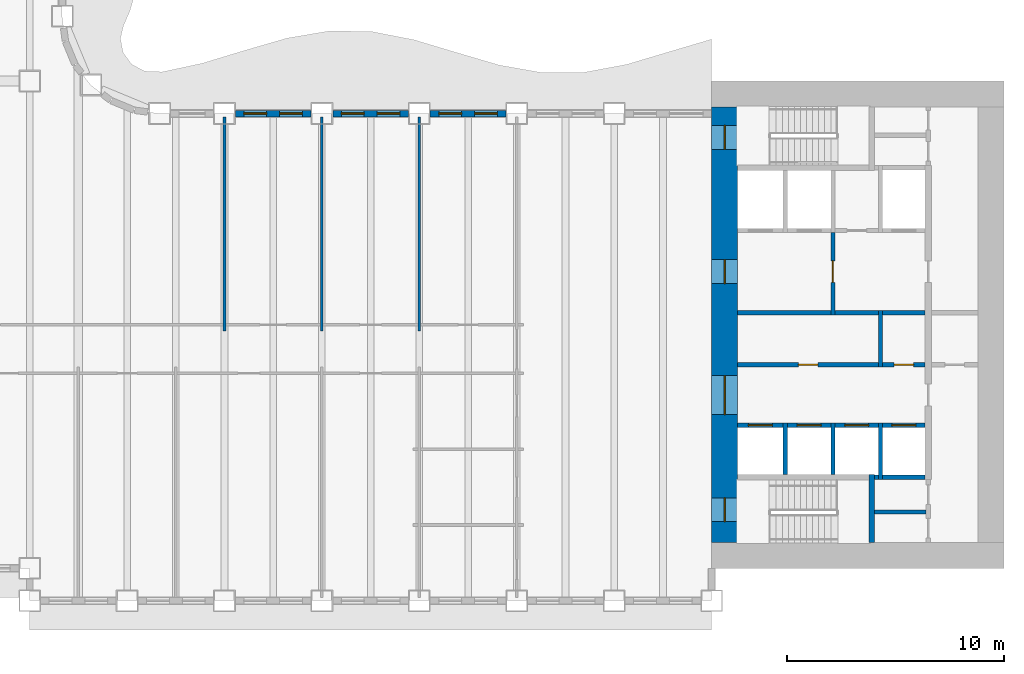
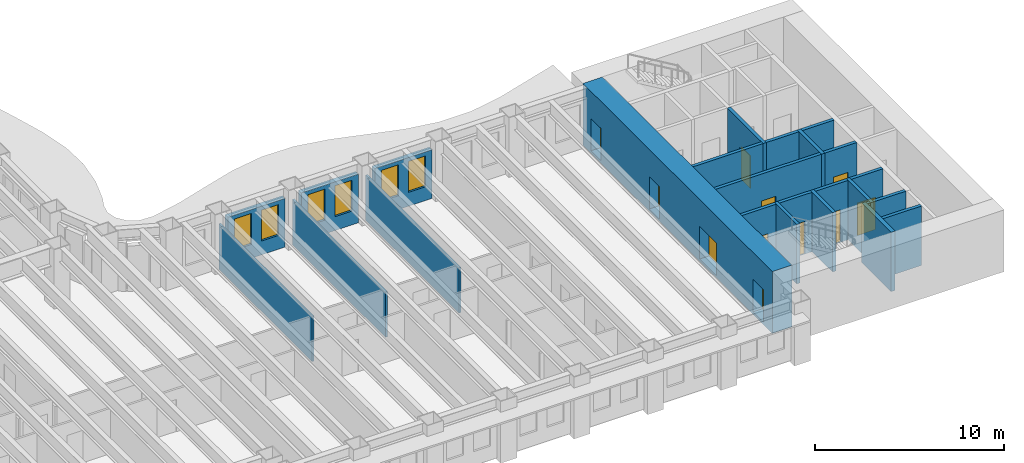
# One storey, part 6 of 16: 25 walls, 11 doors, 6 windows, 17 openings.
"""IFC4 building model written with IfcOpenShell, lengths in metres."""

from ifc_helpers import new_model, si_unit, direction, frame, frame_2d, origin, place, context, subcontext, project, spatial, rectangle, extrude, material, layer, layer_set, type_object, element, fill, save


model = new_model("IFC4")

# Units and contexts
model_context = context("Model", 3, precision=1e-05, world=origin(), true_north=direction((0.0, 1.0)))
body_context = subcontext(model_context, "Body", "Model", "MODEL_VIEW")
ifc_project = project(units=[si_unit("LENGTHUNIT", "METRE"), si_unit("AREAUNIT", "SQUARE_METRE"), si_unit("VOLUMEUNIT", "CUBIC_METRE"), si_unit("PLANEANGLEUNIT", "RADIAN"), si_unit("MASSUNIT", "GRAM", prefix="KILO")], contexts=[model_context])

# Site, building, storey
site_placement = place(None, origin())
site = spatial("IfcSite", under=ifc_project, at=site_placement, CompositionType="ELEMENT")
building_placement = place(site_placement, origin())
building = spatial("IfcBuilding", under=site, at=building_placement, Name="Sennacour Bend Tower", CompositionType="ELEMENT")
storey_placement = place(building_placement, frame((0.0, 0.0, 119.0)))
storey = spatial("IfcBuildingStorey", under=building, at=storey_placement, Name="L27", CompositionType="ELEMENT", Elevation=119.0)

# Wall, openings, doors
ifc_material_1 = material(Name="Concrete C80/95", Category="concrete")
ifc_layer_1 = layer(ifc_material_1, 1.199951171875, Name="Concrete C80/95", Category="concrete")
ifc_layer_set_1 = layer_set([ifc_layer_1], Name="Concrete C80/95")
wall_type_1 = type_object("IfcWallType", Name="Core wall 1200 C80/95", PredefinedType="SHEAR", material=ifc_layer_set_1)
wall_1_placement = place(storey_placement, frame((54.60009765625, 1.199951171875, -0.14990234375), z_axis=(0.0, 0.0, 1.0), x_axis=(0.0, 1.0, 0.0)))
wall_1 = element("IfcWall", 1, at=wall_1_placement, inside=storey, type_object=wall_type_1, Name="Core A wall L27 W", PredefinedType="SHEAR", context=body_context, shape_type="SweptSolid", body=[
    extrude(rectangle(XDim=20.10009765625, YDim=1.199951171875, at=frame_2d((10.050048828125, 0.0))), origin(), (0.0, 0.0, 1.0), 4.0),
])
opening_1_placement = place(wall_1_placement, frame((5.89990234375, 0.0, 0.14990234375)))
opening_1 = element("IfcOpeningElement", 2, at=opening_1_placement, cuts=wall_1, Name="Opening CD", PredefinedType="OPENING", context=body_context, shape_type="SweptSolid", body=[
    extrude(rectangle(XDim=1.800048828125, YDim=2.10009765625, at=frame_2d((0.89990234375, 1.050048828125))), frame((0.0, 0.60986328125, 0.0), z_axis=(0.0, -1.0, 0.0), x_axis=(1.0, 0.0, 0.0)), (0.0, 0.0, 1.0), 1.219970703125),
])
opening_2_placement = place(wall_1_placement, frame((11.949951171875, 0.0, 0.14990234375)))
opening_2 = element("IfcOpeningElement", 3, at=opening_2_placement, cuts=wall_1, Name="Opening FD", PredefinedType="OPENING", context=body_context, shape_type="SweptSolid", body=[
    extrude(rectangle(XDim=1.10009765625, YDim=2.10009765625, at=frame_2d((0.550048828125, 1.050048828125))), frame((0.0, 0.60986328125, 0.0), z_axis=(0.0, -1.0, 0.0), x_axis=(1.0, 0.0, 0.0)), (0.0, 0.0, 1.0), 1.219970703125),
])
opening_3_placement = place(wall_1_placement, frame((0.949951171875, 0.0, 0.14990234375)))
opening_3 = element("IfcOpeningElement", 4, at=opening_3_placement, cuts=wall_1, Name="Opening SD", PredefinedType="OPENING", context=body_context, shape_type="SweptSolid", body=[
    extrude(rectangle(XDim=1.10009765625, YDim=2.10009765625, at=frame_2d((0.550048828125, 1.050048828125))), frame((0.0, 0.60986328125, 0.0), z_axis=(0.0, -1.0, 0.0), x_axis=(1.0, 0.0, 0.0)), (0.0, 0.0, 1.0), 1.219970703125),
])
opening_4_placement = place(wall_1_placement, frame((18.14990234375, 0.0, 0.14990234375)))
opening_4 = element("IfcOpeningElement", 5, at=opening_4_placement, cuts=wall_1, Name="Opening SD", PredefinedType="OPENING", context=body_context, shape_type="SweptSolid", body=[
    extrude(rectangle(XDim=1.10009765625, YDim=2.10009765625, at=frame_2d((0.550048828125, 1.050048828125))), frame((0.0, 0.60986328125, 0.0), z_axis=(0.0, -1.0, 0.0), x_axis=(1.0, 0.0, 0.0)), (0.0, 0.0, 1.0), 1.219970703125),
])
ifc_material_2 = material(Name="Painted steel", Category="steel")
door_type_1 = type_object("IfcDoorType", Name="DR-FFL-1100", OperationType="NOTDEFINED", PredefinedType="DOOR", material=ifc_material_2)
door_1_placement = place(opening_2_placement, origin())
door_1 = element("IfcDoor", 6, at=door_1_placement, inside=storey, type_object=door_type_1, Name="Door", OperationType="SINGLE_SWING_RIGHT", OverallHeight=2.10009765625, OverallWidth=1.10009765625, PredefinedType="DOOR", context=body_context, shape_type="SweptSolid", body=[
    extrude(rectangle(XDim=1.10009765625, YDim=2.10009765625, at=frame_2d((0.550048828125, 1.050048828125))), frame((0.0, 0.02490234375, 0.0), z_axis=(0.0, -1.0, 0.0), x_axis=(1.0, 0.0, 0.0)), (0.0, 0.0, 1.0), 0.050048828125),
])
fill(opening_2, door_1)
door_type_2 = type_object("IfcDoorType", Name="DR-LOBBY-1800", OperationType="NOTDEFINED", PredefinedType="DOOR", material=ifc_material_2)
door_2_placement = place(opening_1_placement, origin())
door_2 = element("IfcDoor", 7, at=door_2_placement, inside=storey, type_object=door_type_2, Name="Door", OperationType="DOUBLE_DOOR_SINGLE_SWING", OverallHeight=2.10009765625, OverallWidth=1.800048828125, PredefinedType="DOOR", context=body_context, shape_type="SweptSolid", body=[
    extrude(rectangle(XDim=1.800048828125, YDim=2.10009765625, at=frame_2d((0.89990234375, 1.050048828125))), frame((0.0, 0.02490234375, 0.0), z_axis=(0.0, -1.0, 0.0), x_axis=(1.0, 0.0, 0.0)), (0.0, 0.0, 1.0), 0.050048828125),
])
fill(opening_1, door_2)
door_type_3 = type_object("IfcDoorType", Name="DR-STAIR-1100", OperationType="NOTDEFINED", PredefinedType="DOOR", material=ifc_material_2)
door_3_placement = place(opening_3_placement, origin())
door_3 = element("IfcDoor", 8, at=door_3_placement, inside=storey, type_object=door_type_3, Name="Door", OperationType="SINGLE_SWING_LEFT", OverallHeight=2.10009765625, OverallWidth=1.10009765625, PredefinedType="DOOR", context=body_context, shape_type="SweptSolid", body=[
    extrude(rectangle(XDim=1.10009765625, YDim=2.10009765625, at=frame_2d((0.550048828125, 1.050048828125))), frame((0.0, 0.02490234375, 0.0), z_axis=(0.0, -1.0, 0.0), x_axis=(1.0, 0.0, 0.0)), (0.0, 0.0, 1.0), 0.050048828125),
])
fill(opening_3, door_3)
door_4_placement = place(opening_4_placement, origin())
door_4 = element("IfcDoor", 9, at=door_4_placement, inside=storey, type_object=door_type_3, Name="Door", OperationType="SINGLE_SWING_RIGHT", OverallHeight=2.10009765625, OverallWidth=1.10009765625, PredefinedType="DOOR", context=body_context, shape_type="SweptSolid", body=[
    extrude(rectangle(XDim=1.10009765625, YDim=2.10009765625, at=frame_2d((0.550048828125, 1.050048828125))), frame((0.0, 0.02490234375, 0.0), z_axis=(0.0, -1.0, 0.0), x_axis=(1.0, 0.0, 0.0)), (0.0, 0.0, 1.0), 0.050048828125),
])
fill(opening_4, door_4)

# Walls
ifc_material_3 = material(Name="Plasterboard partition on steel studs", Category="steel")
ifc_layer_2 = layer(ifc_material_3, 0.1201171875, Name="Plasterboard partition on steel studs", Category="steel")
ifc_layer_set_2 = layer_set([ifc_layer_2], Name="Plasterboard partition on steel studs")
wall_type_2 = type_object("IfcWallType", Name="Partition 120", PredefinedType="PARTITIONING", material=ifc_layer_set_2)
for number, where, z_axis, x_axis, name in (
    (10, (31.5, 10.949951171875, 0.0), (0.0, 0.0, 1.0), (0.0, 1.0, 0.0), "P-L27-W029a"),
    (11, (36.0, 10.949951171875, 0.0), (0.0, 0.0, 1.0), (0.0, 1.0, 0.0), "P-L27-W031a"),
    (12, (40.5, 10.949951171875, 0.0), (0.0, 0.0, 1.0), (0.0, 1.0, 0.0), "P-L27-W033a"),
):
    element("IfcWall", number, at=place(storey_placement, frame(where, z_axis=z_axis, x_axis=x_axis)), inside=storey, type_object=wall_type_2, Name=name, PredefinedType="PARTITIONING", context=body_context, shape_type="SweptSolid", body=[
        extrude(rectangle(XDim=9.900146484375, YDim=0.1201171875, at=frame_2d((4.9501953125, 0.0))), origin(), (0.0, 0.0, 1.0), 2.93798828125),
    ])
ifc_material_4 = material(Name="Fire-rated plasterboard partition on steel studs", Category="steel")
ifc_layer_3 = layer(ifc_material_4, 0.199951171875, Name="Fire-rated plasterboard partition on steel studs", Category="steel")
ifc_layer_set_3 = layer_set([ifc_layer_3], Name="Fire-rated plasterboard partition on steel studs")
wall_type_3 = type_object("IfcWallType", Name="Rated partition 200", PredefinedType="PARTITIONING", material=ifc_layer_set_3)
wall_2_placement = place(storey_placement, frame((61.800048828125, 9.300048828125, 0.0), z_axis=(0.0, 0.0, 1.0), x_axis=(0.0, 1.0, 0.0)))
element("IfcWall", 13, at=wall_2_placement, inside=storey, type_object=wall_type_3, Name="P-L27-W044", PredefinedType="PARTITIONING", context=body_context, shape_type="SweptSolid", body=[
    extrude(rectangle(XDim=2.599853515625, YDim=0.199951171875, at=frame_2d((1.2998046875, 0.0))), origin(), (0.0, 0.0, 1.0), 3.85009765625),
])
wall_3_placement = place(storey_placement, frame((61.52490234375, 2.60009765625, 0.0), z_axis=(0.0, 0.0, 1.0), x_axis=(1.0, 0.0, 0.0)))
element("IfcWall", 14, at=wall_3_placement, inside=storey, type_object=wall_type_3, Name="P-L27-W052", PredefinedType="PARTITIONING", context=body_context, shape_type="SweptSolid", body=[
    extrude(rectangle(XDim=2.375, YDim=0.199951171875, at=frame_2d((1.1875, 0.0))), origin(), (0.0, 0.0, 1.0), 3.85009765625),
])

# Wall, opening, door
wall_4_placement = place(storey_placement, frame((55.199951171875, 9.39990234375, 0.0), z_axis=(0.0, 0.0, 1.0), x_axis=(1.0, 0.0, 0.0)))
wall_4 = element("IfcWall", 15, at=wall_4_placement, inside=storey, type_object=wall_type_3, Name="P-L27-W060a", PredefinedType="PARTITIONING", context=body_context, shape_type="SweptSolid", body=[
    extrude(rectangle(XDim=6.5, YDim=0.199951171875, at=frame_2d((3.25, 0.0))), origin(), (0.0, 0.0, 1.0), 3.85009765625),
])
opening_5_placement = place(wall_4_placement, frame((2.800048828125, 0.0, 0.0)))
opening_5 = element("IfcOpeningElement", 16, at=opening_5_placement, cuts=wall_4, Name="Opening SV", PredefinedType="OPENING", context=body_context, shape_type="SweptSolid", body=[
    extrude(rectangle(XDim=0.89990234375, YDim=2.10009765625, at=frame_2d((0.449951171875, 1.050048828125))), frame((0.0, 0.10986328125, 0.0), z_axis=(0.0, -1.0, 0.0), x_axis=(1.0, 0.0, 0.0)), (0.0, 0.0, 1.0), 0.219970703125),
])
door_type_4 = type_object("IfcDoorType", Name="DR-SERVICE-900", OperationType="NOTDEFINED", PredefinedType="DOOR", material=ifc_material_2)
door_5_placement = place(opening_5_placement, origin())
door_5 = element("IfcDoor", 17, at=door_5_placement, inside=storey, type_object=door_type_4, Name="Door", OperationType="SINGLE_SWING_LEFT", OverallHeight=2.10009765625, OverallWidth=0.89990234375, PredefinedType="DOOR", context=body_context, shape_type="SweptSolid", body=[
    extrude(rectangle(XDim=0.89990234375, YDim=2.10009765625, at=frame_2d((0.449951171875, 1.050048828125))), frame((0.0, 0.02490234375, 0.0), z_axis=(0.0, -1.0, 0.0), x_axis=(1.0, 0.0, 0.0)), (0.0, 0.0, 1.0), 0.050048828125),
])
fill(opening_5, door_5)

wall_5_placement = place(storey_placement, frame((61.89990234375, 9.39990234375, 0.0), z_axis=(0.0, 0.0, 1.0), x_axis=(1.0, 0.0, 0.0)))
wall_5 = element("IfcWall", 18, at=wall_5_placement, inside=storey, type_object=wall_type_3, Name="P-L27-W060b", PredefinedType="PARTITIONING", context=body_context, shape_type="SweptSolid", body=[
    extrude(rectangle(XDim=1.9501953125, YDim=0.199951171875, at=frame_2d((0.97509765625, 0.0))), origin(), (0.0, 0.0, 1.0), 3.85009765625),
])
opening_6_placement = place(wall_5_placement, frame((0.525146484375, 0.0, 0.0)))
opening_6 = element("IfcOpeningElement", 19, at=opening_6_placement, cuts=wall_5, Name="Opening SV", PredefinedType="OPENING", context=body_context, shape_type="SweptSolid", body=[
    extrude(rectangle(XDim=0.89990234375, YDim=2.10009765625, at=frame_2d((0.449951171875, 1.050048828125))), frame((0.0, 0.10986328125, 0.0), z_axis=(0.0, -1.0, 0.0), x_axis=(1.0, 0.0, 0.0)), (0.0, 0.0, 1.0), 0.219970703125),
])
door_6_placement = place(opening_6_placement, origin())
door_6 = element("IfcDoor", 20, at=door_6_placement, inside=storey, type_object=door_type_4, Name="Door", OperationType="SINGLE_SWING_LEFT", OverallHeight=2.10009765625, OverallWidth=0.89990234375, PredefinedType="DOOR", context=body_context, shape_type="SweptSolid", body=[
    extrude(rectangle(XDim=0.89990234375, YDim=2.10009765625, at=frame_2d((0.449951171875, 1.050048828125))), frame((0.0, 0.02490234375, 0.0), z_axis=(0.0, -1.0, 0.0), x_axis=(1.0, 0.0, 0.0)), (0.0, 0.0, 1.0), 0.050048828125),
])
fill(opening_6, door_6)

# Walls
wall_6_placement = place(storey_placement, frame((55.199951171875, 11.800048828125, 0.0), z_axis=(0.0, 0.0, 1.0), x_axis=(1.0, 0.0, 0.0)))
element("IfcWall", 21, at=wall_6_placement, inside=storey, type_object=wall_type_3, Name="P-L27-W062a", PredefinedType="PARTITIONING", context=body_context, shape_type="SweptSolid", body=[
    extrude(rectangle(XDim=4.300048828125, YDim=0.199951171875, at=frame_2d((2.14990234375, 0.0))), origin(), (0.0, 0.0, 1.0), 3.85009765625),
])
wall_7_placement = place(storey_placement, frame((59.699951171875, 11.800048828125, 0.0), z_axis=(0.0, 0.0, 1.0), x_axis=(1.0, 0.0, 0.0)))
element("IfcWall", 22, at=wall_7_placement, inside=storey, type_object=wall_type_3, Name="P-L27-W062b", PredefinedType="PARTITIONING", context=body_context, shape_type="SweptSolid", body=[
    extrude(rectangle(XDim=2.0, YDim=0.199951171875, at=frame_2d((1.0, 0.0))), origin(), (0.0, 0.0, 1.0), 3.85009765625),
])
wall_8_placement = place(storey_placement, frame((61.89990234375, 11.800048828125, 0.0), z_axis=(0.0, 0.0, 1.0), x_axis=(1.0, 0.0, 0.0)))
element("IfcWall", 23, at=wall_8_placement, inside=storey, type_object=wall_type_3, Name="P-L27-W062c", PredefinedType="PARTITIONING", context=body_context, shape_type="SweptSolid", body=[
    extrude(rectangle(XDim=1.9501953125, YDim=0.199951171875, at=frame_2d((0.97509765625, 0.0))), origin(), (0.0, 0.0, 1.0), 3.85009765625),
])

# Wall, opening, door
ifc_layer_4 = layer(ifc_material_4, 0.199951171875, Name="Fire-rated plasterboard partition on steel studs", Category="steel")
ifc_layer_set_4 = layer_set([ifc_layer_4], Name="Fire-rated plasterboard partition on steel studs")
wall_type_4 = type_object("IfcWallType", Name="Rated partition 200 EI 90", PredefinedType="PARTITIONING", material=ifc_layer_set_4)
wall_9_placement = place(storey_placement, frame((59.60009765625, 11.699951171875, 0.0), z_axis=(0.0, 0.0, 1.0), x_axis=(0.0, 1.0, 0.0)))
wall_9 = element("IfcWall", 24, at=wall_9_placement, inside=storey, type_object=wall_type_4, Name="P-L27-W039", PredefinedType="PARTITIONING", context=body_context, shape_type="SweptSolid", body=[
    extrude(rectangle(XDim=3.800048828125, YDim=0.199951171875, at=frame_2d((1.89990234375, 0.0))), origin(), (0.0, 0.0, 1.0), 3.85009765625),
])
opening_7_placement = place(wall_9_placement, frame((1.5, 0.0, 0.0)))
opening_7 = element("IfcOpeningElement", 25, at=opening_7_placement, cuts=wall_9, Name="Opening FD2", PredefinedType="OPENING", context=body_context, shape_type="SweptSolid", body=[
    extrude(rectangle(XDim=1.0, YDim=2.10009765625, at=frame_2d((0.5, 1.050048828125))), frame((0.0, 0.10986328125, 0.0), z_axis=(0.0, -1.0, 0.0), x_axis=(1.0, 0.0, 0.0)), (0.0, 0.0, 1.0), 0.219970703125),
])
door_type_5 = type_object("IfcDoorType", Name="DR-FFL-1000", OperationType="NOTDEFINED", PredefinedType="DOOR", material=ifc_material_2)
door_7_placement = place(opening_7_placement, origin())
door_7 = element("IfcDoor", 26, at=door_7_placement, inside=storey, type_object=door_type_5, Name="Door", OperationType="SINGLE_SWING_RIGHT", OverallHeight=2.10009765625, OverallWidth=1.0, PredefinedType="DOOR", context=body_context, shape_type="SweptSolid", body=[
    extrude(rectangle(XDim=1.0, YDim=2.10009765625, at=frame_2d((0.5, 1.050048828125))), frame((0.0, 0.02490234375, 0.0), z_axis=(0.0, -1.0, 0.0), x_axis=(1.0, 0.0, 0.0)), (0.0, 0.0, 1.0), 0.050048828125),
])
fill(opening_7, door_7)

# Wall, openings, windows
ifc_material_5 = material(Name="Warm limestone cladding", Category="masonry")
ifc_layer_5 = layer(ifc_material_5, 0.050048828125, Name="Warm limestone cladding", Category="masonry")
ifc_material_6 = material(Name="Precast concrete C40/50", Category="concrete")
ifc_layer_6 = layer(ifc_material_6, 0.25, Name="Precast concrete C40/50", Category="concrete")
ifc_layer_set_5 = layer_set([ifc_layer_5, ifc_layer_6], Name="Precast concrete C40/50 with limestone cladding")
wall_type_5 = type_object("IfcWallType", Name="STONE-CLAD PRECAST SPANDREL 300", PredefinedType="STANDARD", material=ifc_layer_set_5)
wall_10_placement = place(storey_placement, frame((44.5, 21.0, 0.0), z_axis=(0.0, 0.0, 1.0), x_axis=(-1.0, 0.0, 0.0)))
wall_10 = element("IfcWall", 27, at=wall_10_placement, inside=storey, type_object=wall_type_5, Name="Stone spandrel and pier wall L27 06.02", PredefinedType="STANDARD", context=body_context, shape_type="SweptSolid", body=[
    extrude(rectangle(XDim=3.5, YDim=0.300048828125, at=frame_2d((1.75, 0.0))), origin(), (0.0, 0.0, 1.0), 3.154052734375),
])
opening_8_placement = place(wall_10_placement, frame((0.39990234375, 0.0, 0.89990234375)))
opening_8 = element("IfcOpeningElement", 28, at=opening_8_placement, cuts=wall_10, Name="Opening W13", PredefinedType="OPENING", context=body_context, shape_type="SweptSolid", body=[
    extrude(rectangle(XDim=1.050048828125, YDim=2.0, at=frame_2d((0.52490234375, 1.0))), frame((0.0, 0.16015625, 0.0), z_axis=(0.0, -1.0, 0.0), x_axis=(1.0, 0.0, 0.0)), (0.0, 0.0, 1.0), 0.320068359375),
])
opening_9_placement = place(wall_10_placement, frame((2.050048828125, 0.0, 0.89990234375)))
opening_9 = element("IfcOpeningElement", 29, at=opening_9_placement, cuts=wall_10, Name="Opening W13", PredefinedType="OPENING", context=body_context, shape_type="SweptSolid", body=[
    extrude(rectangle(XDim=1.050048828125, YDim=2.0, at=frame_2d((0.52490234375, 1.0))), frame((0.0, 0.16015625, 0.0), z_axis=(0.0, -1.0, 0.0), x_axis=(1.0, 0.0, 0.0)), (0.0, 0.0, 1.0), 0.320068359375),
])
ifc_material_7 = material(Name="Clear low-emissivity glass", Category="glass")
window_type = type_object("IfcWindowType", Name="WIN-RIBBON-1050x2000", PartitioningType="SINGLE_PANEL", PredefinedType="WINDOW", material=ifc_material_7)
window_1_placement = place(opening_8_placement, origin())
window_1 = element("IfcWindow", 30, at=window_1_placement, inside=storey, type_object=window_type, Name="Ribbon window L27 06.02.0", OverallHeight=2.0, OverallWidth=1.050048828125, PartitioningType="SINGLE_PANEL", PredefinedType="WINDOW", context=body_context, shape_type="SweptSolid", body=[
    extrude(rectangle(XDim=1.050048828125, YDim=2.0, at=frame_2d((0.52490234375, 1.0))), frame((0.0, 0.030029296875, 0.0), z_axis=(0.0, -1.0, 0.0), x_axis=(1.0, 0.0, 0.0)), (0.0, 0.0, 1.0), 0.06005859375),
])
fill(opening_8, window_1)
window_2_placement = place(opening_9_placement, origin())
window_2 = element("IfcWindow", 31, at=window_2_placement, inside=storey, type_object=window_type, Name="Ribbon window L27 06.02.1", OverallHeight=2.0, OverallWidth=1.050048828125, PartitioningType="SINGLE_PANEL", PredefinedType="WINDOW", context=body_context, shape_type="SweptSolid", body=[
    extrude(rectangle(XDim=1.050048828125, YDim=2.0, at=frame_2d((0.52490234375, 1.0))), frame((0.0, 0.030029296875, 0.0), z_axis=(0.0, -1.0, 0.0), x_axis=(1.0, 0.0, 0.0)), (0.0, 0.0, 1.0), 0.06005859375),
])
fill(opening_9, window_2)

wall_11_placement = place(storey_placement, frame((40.0, 21.0, 0.0), z_axis=(0.0, 0.0, 1.0), x_axis=(-1.0, 0.0, 0.0)))
wall_11 = element("IfcWall", 32, at=wall_11_placement, inside=storey, type_object=wall_type_5, Name="Stone spandrel and pier wall L27 06.03", PredefinedType="STANDARD", context=body_context, shape_type="SweptSolid", body=[
    extrude(rectangle(XDim=3.5, YDim=0.300048828125, at=frame_2d((1.75, 0.0))), origin(), (0.0, 0.0, 1.0), 3.154052734375),
])
opening_10_placement = place(wall_11_placement, frame((0.39990234375, 0.0, 0.89990234375)))
opening_10 = element("IfcOpeningElement", 33, at=opening_10_placement, cuts=wall_11, Name="Opening W13", PredefinedType="OPENING", context=body_context, shape_type="SweptSolid", body=[
    extrude(rectangle(XDim=1.050048828125, YDim=2.0, at=frame_2d((0.52490234375, 1.0))), frame((0.0, 0.16015625, 0.0), z_axis=(0.0, -1.0, 0.0), x_axis=(1.0, 0.0, 0.0)), (0.0, 0.0, 1.0), 0.320068359375),
])
opening_11_placement = place(wall_11_placement, frame((2.050048828125, 0.0, 0.89990234375)))
opening_11 = element("IfcOpeningElement", 34, at=opening_11_placement, cuts=wall_11, Name="Opening W13", PredefinedType="OPENING", context=body_context, shape_type="SweptSolid", body=[
    extrude(rectangle(XDim=1.050048828125, YDim=2.0, at=frame_2d((0.52490234375, 1.0))), frame((0.0, 0.16015625, 0.0), z_axis=(0.0, -1.0, 0.0), x_axis=(1.0, 0.0, 0.0)), (0.0, 0.0, 1.0), 0.320068359375),
])
window_3_placement = place(opening_10_placement, origin())
window_3 = element("IfcWindow", 35, at=window_3_placement, inside=storey, type_object=window_type, Name="Ribbon window L27 06.03.0", OverallHeight=2.0, OverallWidth=1.050048828125, PartitioningType="SINGLE_PANEL", PredefinedType="WINDOW", context=body_context, shape_type="SweptSolid", body=[
    extrude(rectangle(XDim=1.050048828125, YDim=2.0, at=frame_2d((0.52490234375, 1.0))), frame((0.0, 0.030029296875, 0.0), z_axis=(0.0, -1.0, 0.0), x_axis=(1.0, 0.0, 0.0)), (0.0, 0.0, 1.0), 0.06005859375),
])
fill(opening_10, window_3)
window_4_placement = place(opening_11_placement, origin())
window_4 = element("IfcWindow", 36, at=window_4_placement, inside=storey, type_object=window_type, Name="Ribbon window L27 06.03.1", OverallHeight=2.0, OverallWidth=1.050048828125, PartitioningType="SINGLE_PANEL", PredefinedType="WINDOW", context=body_context, shape_type="SweptSolid", body=[
    extrude(rectangle(XDim=1.050048828125, YDim=2.0, at=frame_2d((0.52490234375, 1.0))), frame((0.0, 0.030029296875, 0.0), z_axis=(0.0, -1.0, 0.0), x_axis=(1.0, 0.0, 0.0)), (0.0, 0.0, 1.0), 0.06005859375),
])
fill(opening_11, window_4)

wall_12_placement = place(storey_placement, frame((35.5, 21.0, 0.0), z_axis=(0.0, 0.0, 1.0), x_axis=(-1.0, 0.0, 0.0)))
wall_12 = element("IfcWall", 37, at=wall_12_placement, inside=storey, type_object=wall_type_5, Name="Stone spandrel and pier wall L27 06.04", PredefinedType="STANDARD", context=body_context, shape_type="SweptSolid", body=[
    extrude(rectangle(XDim=3.5, YDim=0.300048828125, at=frame_2d((1.75, 0.0))), origin(), (0.0, 0.0, 1.0), 3.154052734375),
])
opening_12_placement = place(wall_12_placement, frame((0.39990234375, 0.0, 0.89990234375)))
opening_12 = element("IfcOpeningElement", 38, at=opening_12_placement, cuts=wall_12, Name="Opening W13", PredefinedType="OPENING", context=body_context, shape_type="SweptSolid", body=[
    extrude(rectangle(XDim=1.050048828125, YDim=2.0, at=frame_2d((0.52490234375, 1.0))), frame((0.0, 0.16015625, 0.0), z_axis=(0.0, -1.0, 0.0), x_axis=(1.0, 0.0, 0.0)), (0.0, 0.0, 1.0), 0.320068359375),
])
opening_13_placement = place(wall_12_placement, frame((2.050048828125, 0.0, 0.89990234375)))
opening_13 = element("IfcOpeningElement", 39, at=opening_13_placement, cuts=wall_12, Name="Opening W13", PredefinedType="OPENING", context=body_context, shape_type="SweptSolid", body=[
    extrude(rectangle(XDim=1.050048828125, YDim=2.0, at=frame_2d((0.52490234375, 1.0))), frame((0.0, 0.16015625, 0.0), z_axis=(0.0, -1.0, 0.0), x_axis=(1.0, 0.0, 0.0)), (0.0, 0.0, 1.0), 0.320068359375),
])
window_5_placement = place(opening_12_placement, origin())
window_5 = element("IfcWindow", 40, at=window_5_placement, inside=storey, type_object=window_type, Name="Ribbon window L27 06.04.0", OverallHeight=2.0, OverallWidth=1.050048828125, PartitioningType="SINGLE_PANEL", PredefinedType="WINDOW", context=body_context, shape_type="SweptSolid", body=[
    extrude(rectangle(XDim=1.050048828125, YDim=2.0, at=frame_2d((0.52490234375, 1.0))), frame((0.0, 0.030029296875, 0.0), z_axis=(0.0, -1.0, 0.0), x_axis=(1.0, 0.0, 0.0)), (0.0, 0.0, 1.0), 0.06005859375),
])
fill(opening_12, window_5)
window_6_placement = place(opening_13_placement, origin())
window_6 = element("IfcWindow", 41, at=window_6_placement, inside=storey, type_object=window_type, Name="Ribbon window L27 06.04.1", OverallHeight=2.0, OverallWidth=1.050048828125, PartitioningType="SINGLE_PANEL", PredefinedType="WINDOW", context=body_context, shape_type="SweptSolid", body=[
    extrude(rectangle(XDim=1.050048828125, YDim=2.0, at=frame_2d((0.52490234375, 1.0))), frame((0.0, 0.030029296875, 0.0), z_axis=(0.0, -1.0, 0.0), x_axis=(1.0, 0.0, 0.0)), (0.0, 0.0, 1.0), 0.06005859375),
])
fill(opening_13, window_6)

# Walls
ifc_material_8 = material(Name="Concrete C50/60", Category="concrete")
ifc_layer_7 = layer(ifc_material_8, 0.199951171875, Name="Concrete C50/60", Category="concrete")
ifc_layer_set_6 = layer_set([ifc_layer_7], Name="Concrete C50/60")
wall_type_6 = type_object("IfcWallType", Name="Shaft wall 200", PredefinedType="SOLIDWALL", material=ifc_layer_set_6)
for number, where, z_axis, x_axis, name in (
    (42, (57.39990234375, 4.324951171875, 0.0), (0.0, 0.0, 1.0), (0.0, 1.0, 0.0), "P-L27-W036"),
    (43, (59.60009765625, 4.324951171875, 0.0), (0.0, 0.0, 1.0), (0.0, 1.0, 0.0), "P-L27-W038"),
):
    element("IfcWall", number, at=place(storey_placement, frame(where, z_axis=z_axis, x_axis=x_axis)), inside=storey, type_object=wall_type_6, Name=name, PredefinedType="SOLIDWALL", context=body_context, shape_type="SweptSolid", body=[
        extrude(rectangle(XDim=2.375, YDim=0.199951171875, at=frame_2d((1.1875, 0.0))), origin(), (0.0, 0.0, 1.0), 3.85009765625),
    ])
wall_13_placement = place(storey_placement, frame((61.800048828125, 4.10009765625, 0.0), z_axis=(0.0, 0.0, 1.0), x_axis=(0.0, 1.0, 0.0)))
element("IfcWall", 44, at=wall_13_placement, inside=storey, type_object=wall_type_6, Name="P-L27-W043", PredefinedType="SOLIDWALL", context=body_context, shape_type="SweptSolid", body=[
    extrude(rectangle(XDim=2.599853515625, YDim=0.199951171875, at=frame_2d((1.2998046875, 0.0))), origin(), (0.0, 0.0, 1.0), 3.85009765625),
])
wall_14_placement = place(storey_placement, frame((61.52490234375, 4.199951171875, 0.0), z_axis=(0.0, 0.0, 1.0), x_axis=(1.0, 0.0, 0.0)))
element("IfcWall", 45, at=wall_14_placement, inside=storey, type_object=wall_type_6, Name="P-L27-W056a", PredefinedType="SOLIDWALL", context=body_context, shape_type="SweptSolid", body=[
    extrude(rectangle(XDim=0.175048828125, YDim=0.199951171875, at=frame_2d((0.08740234375, 0.0))), origin(), (0.0, 0.0, 1.0), 3.85009765625),
])
wall_15_placement = place(storey_placement, frame((61.89990234375, 4.199951171875, 0.0), z_axis=(0.0, 0.0, 1.0), x_axis=(1.0, 0.0, 0.0)))
element("IfcWall", 46, at=wall_15_placement, inside=storey, type_object=wall_type_6, Name="P-L27-W056b", PredefinedType="SOLIDWALL", context=body_context, shape_type="SweptSolid", body=[
    extrude(rectangle(XDim=1.9501953125, YDim=0.199951171875, at=frame_2d((0.97509765625, 0.0))), origin(), (0.0, 0.0, 1.0), 3.85009765625),
])

# Wall, opening, door
wall_16_placement = place(storey_placement, frame((55.199951171875, 6.60009765625, 0.0), z_axis=(0.0, 0.0, 1.0), x_axis=(1.0, 0.0, 0.0)))
wall_16 = element("IfcWall", 47, at=wall_16_placement, inside=storey, type_object=wall_type_6, Name="P-L27-W058a", PredefinedType="SOLIDWALL", context=body_context, shape_type="SweptSolid", body=[
    extrude(rectangle(XDim=2.10009765625, YDim=0.199951171875, at=frame_2d((1.050048828125, 0.0))), origin(), (0.0, 0.0, 1.0), 3.85009765625),
])
opening_14_placement = place(wall_16_placement, frame((0.5, 0.0, 0.011962890625)))
opening_14 = element("IfcOpeningElement", 48, at=opening_14_placement, cuts=wall_16, Name="Opening LD", PredefinedType="OPENING", context=body_context, shape_type="SweptSolid", body=[
    extrude(rectangle(XDim=1.10009765625, YDim=2.10009765625, at=frame_2d((0.550048828125, 1.050048828125))), frame((0.0, 0.10986328125, 0.0), z_axis=(0.0, -1.0, 0.0), x_axis=(1.0, 0.0, 0.0)), (0.0, 0.0, 1.0), 0.219970703125),
])
ifc_material_9 = material(Name="Stainless steel", Category="steel")
door_type_6 = type_object("IfcDoorType", Name="DR-LANDING-1100", OperationType="NOTDEFINED", PredefinedType="DOOR", material=ifc_material_9)
door_8_placement = place(opening_14_placement, origin())
door_8 = element("IfcDoor", 49, at=door_8_placement, inside=storey, type_object=door_type_6, Name="Lift landing door LA1", OperationType="SLIDING_TO_LEFT", OverallHeight=2.10009765625, OverallWidth=1.10009765625, PredefinedType="DOOR", context=body_context, shape_type="SweptSolid", body=[
    extrude(rectangle(XDim=1.10009765625, YDim=2.10009765625, at=frame_2d((0.550048828125, 1.050048828125))), frame((0.0, 0.02490234375, 0.0), z_axis=(0.0, -1.0, 0.0), x_axis=(1.0, 0.0, 0.0)), (0.0, 0.0, 1.0), 0.050048828125),
])
fill(opening_14, door_8)

wall_17_placement = place(storey_placement, frame((57.5, 6.60009765625, 0.0), z_axis=(0.0, 0.0, 1.0), x_axis=(1.0, 0.0, 0.0)))
wall_17 = element("IfcWall", 50, at=wall_17_placement, inside=storey, type_object=wall_type_6, Name="P-L27-W058b", PredefinedType="SOLIDWALL", context=body_context, shape_type="SweptSolid", body=[
    extrude(rectangle(XDim=2.0, YDim=0.199951171875, at=frame_2d((1.0, 0.0))), origin(), (0.0, 0.0, 1.0), 3.85009765625),
])
opening_15_placement = place(wall_17_placement, frame((0.449951171875, 0.0, 0.011962890625)))
opening_15 = element("IfcOpeningElement", 51, at=opening_15_placement, cuts=wall_17, Name="Opening LD", PredefinedType="OPENING", context=body_context, shape_type="SweptSolid", body=[
    extrude(rectangle(XDim=1.10009765625, YDim=2.10009765625, at=frame_2d((0.550048828125, 1.050048828125))), frame((0.0, 0.10986328125, 0.0), z_axis=(0.0, -1.0, 0.0), x_axis=(1.0, 0.0, 0.0)), (0.0, 0.0, 1.0), 0.219970703125),
])
door_9_placement = place(opening_15_placement, origin())
door_9 = element("IfcDoor", 52, at=door_9_placement, inside=storey, type_object=door_type_6, Name="Lift landing door LA2", OperationType="SLIDING_TO_RIGHT", OverallHeight=2.10009765625, OverallWidth=1.10009765625, PredefinedType="DOOR", context=body_context, shape_type="SweptSolid", body=[
    extrude(rectangle(XDim=1.10009765625, YDim=2.10009765625, at=frame_2d((0.550048828125, 1.050048828125))), frame((0.0, 0.02490234375, 0.0), z_axis=(0.0, -1.0, 0.0), x_axis=(1.0, 0.0, 0.0)), (0.0, 0.0, 1.0), 0.050048828125),
])
fill(opening_15, door_9)

wall_18_placement = place(storey_placement, frame((59.699951171875, 6.60009765625, 0.0), z_axis=(0.0, 0.0, 1.0), x_axis=(1.0, 0.0, 0.0)))
wall_18 = element("IfcWall", 53, at=wall_18_placement, inside=storey, type_object=wall_type_6, Name="P-L27-W058c", PredefinedType="SOLIDWALL", context=body_context, shape_type="SweptSolid", body=[
    extrude(rectangle(XDim=2.0, YDim=0.199951171875, at=frame_2d((1.0, 0.0))), origin(), (0.0, 0.0, 1.0), 3.85009765625),
])
opening_16_placement = place(wall_18_placement, frame((0.449951171875, 0.0, 0.011962890625)))
opening_16 = element("IfcOpeningElement", 54, at=opening_16_placement, cuts=wall_18, Name="Opening LD", PredefinedType="OPENING", context=body_context, shape_type="SweptSolid", body=[
    extrude(rectangle(XDim=1.10009765625, YDim=2.10009765625, at=frame_2d((0.550048828125, 1.050048828125))), frame((0.0, 0.10986328125, 0.0), z_axis=(0.0, -1.0, 0.0), x_axis=(1.0, 0.0, 0.0)), (0.0, 0.0, 1.0), 0.219970703125),
])
door_10_placement = place(opening_16_placement, origin())
door_10 = element("IfcDoor", 55, at=door_10_placement, inside=storey, type_object=door_type_6, Name="Lift landing door LA3", OperationType="SLIDING_TO_LEFT", OverallHeight=2.10009765625, OverallWidth=1.10009765625, PredefinedType="DOOR", context=body_context, shape_type="SweptSolid", body=[
    extrude(rectangle(XDim=1.10009765625, YDim=2.10009765625, at=frame_2d((0.550048828125, 1.050048828125))), frame((0.0, 0.02490234375, 0.0), z_axis=(0.0, -1.0, 0.0), x_axis=(1.0, 0.0, 0.0)), (0.0, 0.0, 1.0), 0.050048828125),
])
fill(opening_16, door_10)

wall_19_placement = place(storey_placement, frame((61.89990234375, 6.60009765625, 0.0), z_axis=(0.0, 0.0, 1.0), x_axis=(1.0, 0.0, 0.0)))
wall_19 = element("IfcWall", 56, at=wall_19_placement, inside=storey, type_object=wall_type_6, Name="P-L27-W058d", PredefinedType="SOLIDWALL", context=body_context, shape_type="SweptSolid", body=[
    extrude(rectangle(XDim=1.9501953125, YDim=0.199951171875, at=frame_2d((0.97509765625, 0.0))), origin(), (0.0, 0.0, 1.0), 3.85009765625),
])
opening_17_placement = place(wall_19_placement, frame((0.425048828125, 0.0, 0.011962890625)))
opening_17 = element("IfcOpeningElement", 57, at=opening_17_placement, cuts=wall_19, Name="Opening LD", PredefinedType="OPENING", context=body_context, shape_type="SweptSolid", body=[
    extrude(rectangle(XDim=1.10009765625, YDim=2.10009765625, at=frame_2d((0.550048828125, 1.050048828125))), frame((0.0, 0.10986328125, 0.0), z_axis=(0.0, -1.0, 0.0), x_axis=(1.0, 0.0, 0.0)), (0.0, 0.0, 1.0), 0.219970703125),
])
door_11_placement = place(opening_17_placement, origin())
door_11 = element("IfcDoor", 58, at=door_11_placement, inside=storey, type_object=door_type_6, Name="Lift landing door LA4", OperationType="SLIDING_TO_RIGHT", OverallHeight=2.10009765625, OverallWidth=1.10009765625, PredefinedType="DOOR", context=body_context, shape_type="SweptSolid", body=[
    extrude(rectangle(XDim=1.10009765625, YDim=2.10009765625, at=frame_2d((0.550048828125, 1.050048828125))), frame((0.0, 0.02490234375, 0.0), z_axis=(0.0, -1.0, 0.0), x_axis=(1.0, 0.0, 0.0)), (0.0, 0.0, 1.0), 0.050048828125),
])
fill(opening_17, door_11)

# Wall
ifc_material_10 = material(Name="Concrete C60/75", Category="concrete")
ifc_layer_8 = layer(ifc_material_10, 0.25, Name="Concrete C60/75", Category="concrete")
ifc_layer_set_7 = layer_set([ifc_layer_8], Name="Concrete C60/75")
wall_type_7 = type_object("IfcWallType", Name="Stair wall 250", PredefinedType="SHEAR", material=ifc_layer_set_7)
wall_20_placement = place(storey_placement, frame((61.39990234375, 1.199951171875, 0.0), z_axis=(0.0, 0.0, 1.0), x_axis=(0.0, 1.0, 0.0)))
element("IfcWall", 59, at=wall_20_placement, inside=storey, type_object=wall_type_7, Name="P-L27-W041", PredefinedType="SHEAR", context=body_context, shape_type="SweptSolid", body=[
    extrude(rectangle(XDim=3.125, YDim=0.25, at=frame_2d((1.5625, 0.0))), origin(), (0.0, 0.0, 1.0), 3.85009765625),
])

save(model, "model.ifc")
